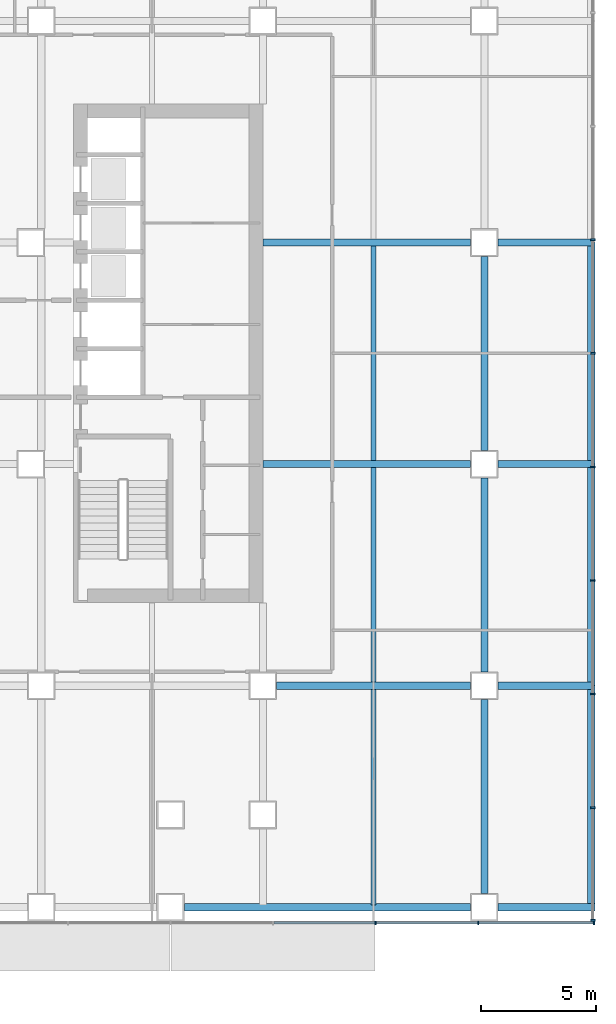
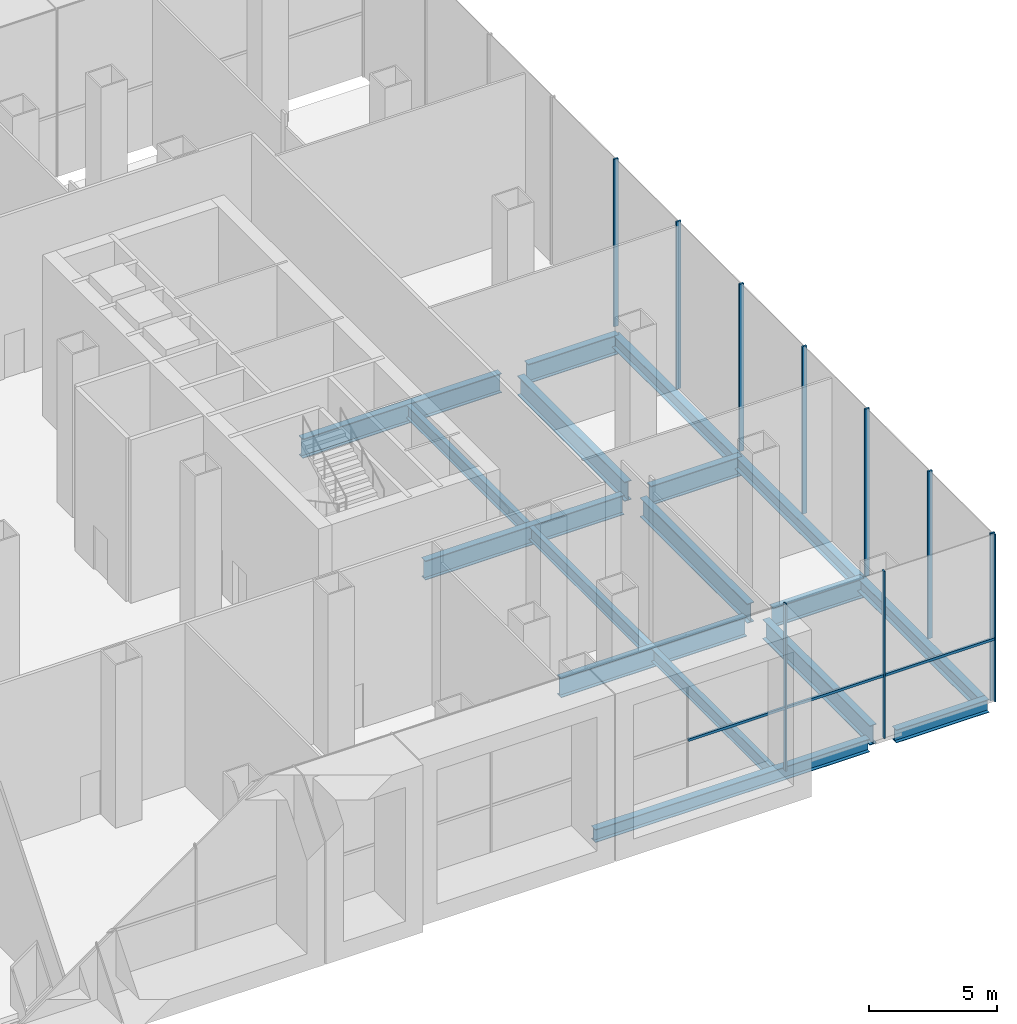
# One storey, part 11 of 24: 17 beams, 13 members, 2 elements without a shape of their own.
"""IFC4 building model written with IfcOpenShell, lengths in metres."""

from ifc_helpers import new_model, si_unit, direction, frame, origin, origin_2d, place, context, subcontext, project, spatial, rectangle, i_section, extrude, material, material_profile, profile_set, type_object, element, aggregate, save


model = new_model("IFC4")

# Units and contexts
model_context = context("Model", 3, precision=1e-05, world=origin(), true_north=direction((0.0, 1.0)))
body_context = subcontext(model_context, "Body", "Model", "MODEL_VIEW")
ifc_project = project(units=[si_unit("LENGTHUNIT", "METRE"), si_unit("AREAUNIT", "SQUARE_METRE"), si_unit("VOLUMEUNIT", "CUBIC_METRE"), si_unit("PLANEANGLEUNIT", "RADIAN"), si_unit("MASSUNIT", "GRAM", prefix="KILO")], contexts=[model_context])

# Site, building, storey
site_placement = place(None, origin())
site = spatial("IfcSite", under=ifc_project, at=site_placement, CompositionType="ELEMENT")
building_placement = place(site_placement, origin())
building = spatial("IfcBuilding", under=site, at=building_placement, Name="Cobrizo Arcos Hotel Tower", CompositionType="ELEMENT")
storey_placement = place(building_placement, frame((0.0, 0.0, 7.5)))
storey = spatial("IfcBuildingStorey", under=building, at=storey_placement, Name="L01", CompositionType="ELEMENT", Elevation=7.5)

# Curtain wall, members
ifc_material_1 = material(Name="Aluminium 6063-T6 anodised bronze", Category="aluminium")
curtain_wall_type_1 = type_object("IfcCurtainWallType", Name="CW-A guest facade", PredefinedType="NOTDEFINED", material=ifc_material_1)
curtain_wall_1_placement = place(storey_placement, origin())
curtain_wall_1 = element("IfcCurtainWall", 1, at=curtain_wall_1_placement, inside=storey, type_object=curtain_wall_type_1, Name="CW-A L01 S face", PredefinedType="NOTDEFINED")
ifc_material_profile_1 = material_profile(ifc_material_1, rectangle(XDim=0.14990234375, YDim=0.06005859375, at=origin_2d()), Name="CW-A mullion 150x60")
ifc_profile_set_1 = profile_set([ifc_material_profile_1], Name="Aluminium 6063-T6 anodised bronze")
member_type_1 = type_object("IfcMemberType", Name="CW-A mullion 150x60", PredefinedType="MULLION", material=ifc_profile_set_1)
member_1_placement = place(storey_placement, frame((28.888916015625, -24.675048828125, 0.0), z_axis=(0.0, 0.0, 1.0), x_axis=(0.0, -1.0, 0.0)))
member_1 = element("IfcMember", 2, at=member_1_placement, type_object=member_type_1, Name="CW-A mullion 16", PredefinedType="MULLION", context=body_context, shape_type="SweptSolid", body=[
    extrude(rectangle(XDim=0.14990234375, YDim=0.06005859375, at=origin_2d()), origin(), (0.0, 0.0, 1.0), 8.0),
])
member_2_placement = place(storey_placement, frame((33.333251953125, -24.675048828125, 0.0), z_axis=(0.0, 0.0, 1.0), x_axis=(0.0, -1.0, 0.0)))
member_2 = element("IfcMember", 3, at=member_2_placement, type_object=member_type_1, Name="CW-A mullion 17", PredefinedType="MULLION", context=body_context, shape_type="SweptSolid", body=[
    extrude(rectangle(XDim=0.14990234375, YDim=0.06005859375, at=origin_2d()), origin(), (0.0, 0.0, 1.0), 8.0),
])
member_3_placement = place(storey_placement, frame((38.344970703125, -24.675048828125, 0.0), z_axis=(0.0, 0.0, 1.0), x_axis=(0.0, -1.0, 0.0)))
member_3 = element("IfcMember", 4, at=member_3_placement, type_object=member_type_1, Name="CW-A mullion 18", PredefinedType="MULLION", context=body_context, shape_type="SweptSolid", body=[
    extrude(rectangle(XDim=0.14990234375, YDim=0.06005859375, at=origin_2d()), origin(), (0.0, 0.0, 1.0), 8.0),
])
ifc_material_profile_2 = material_profile(ifc_material_1, rectangle(XDim=0.10009765625, YDim=0.1201171875, at=origin_2d()), Name="CW-A transom 120x100")
ifc_profile_set_2 = profile_set([ifc_material_profile_2], Name="Aluminium 6063-T6 anodised bronze")
member_type_2 = type_object("IfcMemberType", Name="CW-A transom 120x100", PredefinedType="USERDEFINED", material=ifc_profile_set_2)
member_4_placement = place(storey_placement, frame((24.474365234375, -24.675048828125, 3.0), z_axis=(1.0, 0.0, 0.0), x_axis=(0.0, 1.0, 0.0)))
member_4 = element("IfcMember", 5, at=member_4_placement, type_object=member_type_2, Name="CW-A transom 104", ObjectType="TRANSOM", PredefinedType="USERDEFINED", context=body_context, shape_type="SweptSolid", body=[
    extrude(rectangle(XDim=0.10009765625, YDim=0.1201171875, at=origin_2d()), origin(), (0.0, 0.0, 1.0), 4.384521484375),
])
member_5_placement = place(storey_placement, frame((28.9189453125, -24.675048828125, 3.0), z_axis=(1.0, 0.0, 0.0), x_axis=(0.0, 1.0, 0.0)))
member_5 = element("IfcMember", 6, at=member_5_placement, type_object=member_type_2, Name="CW-A transom 105", ObjectType="TRANSOM", PredefinedType="USERDEFINED", context=body_context, shape_type="SweptSolid", body=[
    extrude(rectangle(XDim=0.10009765625, YDim=0.1201171875, at=origin_2d()), origin(), (0.0, 0.0, 1.0), 4.38427734375),
])
member_6_placement = place(storey_placement, frame((33.36328125, -24.675048828125, 3.0), z_axis=(1.0, 0.0, 0.0), x_axis=(0.0, 1.0, 0.0)))
member_6 = element("IfcMember", 7, at=member_6_placement, type_object=member_type_2, Name="CW-A transom 106", ObjectType="TRANSOM", PredefinedType="USERDEFINED", context=body_context, shape_type="SweptSolid", body=[
    extrude(rectangle(XDim=0.10009765625, YDim=0.1201171875, at=origin_2d()), origin(), (0.0, 0.0, 1.0), 4.95166015625),
])
aggregate(curtain_wall_1, [member_1, member_2, member_3, member_4, member_5, member_6])

curtain_wall_type_2 = type_object("IfcCurtainWallType", Name="CW-B podium glazing", PredefinedType="NOTDEFINED", material=ifc_material_1)
curtain_wall_2_placement = place(storey_placement, origin())
curtain_wall_2 = element("IfcCurtainWall", 8, at=curtain_wall_2_placement, inside=storey, type_object=curtain_wall_type_2, Name="CW-B L01 E face", PredefinedType="NOTDEFINED")
ifc_material_profile_3 = material_profile(ifc_material_1, rectangle(XDim=0.199951171875, YDim=0.080078125, at=origin_2d()), Name="CW-B mullion 200x80")
ifc_profile_set_3 = profile_set([ifc_material_profile_3], Name="Aluminium 6063-T6 anodised bronze")
member_type_3 = type_object("IfcMemberType", Name="CW-B mullion 200x80", PredefinedType="MULLION", material=ifc_profile_set_3)
member_7_placement = place(storey_placement, frame((38.300048828125, -24.56005859375, 0.0), z_axis=(0.0, 0.0, 1.0), x_axis=(1.0, 0.0, 0.0)))
member_7 = element("IfcMember", 9, at=member_7_placement, type_object=member_type_3, Name="CW-B mullion 1", PredefinedType="MULLION", context=body_context, shape_type="SweptSolid", body=[
    extrude(rectangle(XDim=0.199951171875, YDim=0.080078125, at=origin_2d()), origin(), (0.0, 0.0, 1.0), 8.0),
])
member_8_placement = place(storey_placement, frame((38.300048828125, -19.679931640625, 0.0), z_axis=(0.0, 0.0, 1.0), x_axis=(1.0, 0.0, 0.0)))
member_8 = element("IfcMember", 10, at=member_8_placement, type_object=member_type_3, Name="CW-B mullion 2", PredefinedType="MULLION", context=body_context, shape_type="SweptSolid", body=[
    extrude(rectangle(XDim=0.199951171875, YDim=0.080078125, at=origin_2d()), origin(), (0.0, 0.0, 1.0), 8.0),
])
member_9_placement = place(storey_placement, frame((38.300048828125, -14.760009765625, 0.0), z_axis=(0.0, 0.0, 1.0), x_axis=(1.0, 0.0, 0.0)))
member_9 = element("IfcMember", 11, at=member_9_placement, type_object=member_type_3, Name="CW-B mullion 3", PredefinedType="MULLION", context=body_context, shape_type="SweptSolid", body=[
    extrude(rectangle(XDim=0.199951171875, YDim=0.080078125, at=origin_2d()), origin(), (0.0, 0.0, 1.0), 8.0),
])
member_10_placement = place(storey_placement, frame((38.300048828125, -9.840087890625, 0.0), z_axis=(0.0, 0.0, 1.0), x_axis=(1.0, 0.0, 0.0)))
member_10 = element("IfcMember", 12, at=member_10_placement, type_object=member_type_3, Name="CW-B mullion 4", PredefinedType="MULLION", context=body_context, shape_type="SweptSolid", body=[
    extrude(rectangle(XDim=0.199951171875, YDim=0.080078125, at=origin_2d()), origin(), (0.0, 0.0, 1.0), 8.0),
])
member_11_placement = place(storey_placement, frame((38.300048828125, -4.919921875, 0.0), z_axis=(0.0, 0.0, 1.0), x_axis=(1.0, 0.0, 0.0)))
member_11 = element("IfcMember", 13, at=member_11_placement, type_object=member_type_3, Name="CW-B mullion 5", PredefinedType="MULLION", context=body_context, shape_type="SweptSolid", body=[
    extrude(rectangle(XDim=0.199951171875, YDim=0.080078125, at=origin_2d()), origin(), (0.0, 0.0, 1.0), 8.0),
])
member_12_placement = place(storey_placement, frame((38.300048828125, 0.0, 0.0), z_axis=(0.0, 0.0, 1.0), x_axis=(1.0, 0.0, 0.0)))
member_12 = element("IfcMember", 14, at=member_12_placement, type_object=member_type_3, Name="CW-B mullion 6", PredefinedType="MULLION", context=body_context, shape_type="SweptSolid", body=[
    extrude(rectangle(XDim=0.199951171875, YDim=0.080078125, at=origin_2d()), origin(), (0.0, 0.0, 1.0), 8.0),
])
member_13_placement = place(storey_placement, frame((38.300048828125, 4.919921875, 0.0), z_axis=(0.0, 0.0, 1.0), x_axis=(1.0, 0.0, 0.0)))
member_13 = element("IfcMember", 15, at=member_13_placement, type_object=member_type_3, Name="CW-B mullion 7", PredefinedType="MULLION", context=body_context, shape_type="SweptSolid", body=[
    extrude(rectangle(XDim=0.199951171875, YDim=0.080078125, at=origin_2d()), origin(), (0.0, 0.0, 1.0), 8.0),
])
aggregate(curtain_wall_2, [member_7, member_8, member_9, member_10, member_11, member_12, member_13])

# Beams
ifc_material_2 = material(Name="Steel ASTM A992 Grade 50", Category="steel")
ifc_material_profile_4 = material_profile(ifc_material_2, i_section(OverallWidth=0.32763671875, OverallDepth=0.622314453125, WebThickness=0.015380859375, FlangeThickness=0.0244140625, at=origin_2d()), Name="W24X131")
ifc_profile_set_4 = profile_set([ifc_material_profile_4], Name="Steel ASTM A992 Grade 50")
beam_type_1 = type_object("IfcBeamType", Name="W24X131 edge beam", PredefinedType="BEAM", material=ifc_profile_set_4)
beam_1_placement = place(storey_placement, frame((38.236083984375, -24.0, -0.56103515625), z_axis=(0.0, 1.0, 0.0), x_axis=(-1.0, 0.0, 0.0)))
element("IfcBeam", 16, at=beam_1_placement, inside=storey, type_object=beam_type_1, Name="Edge beam EB1, L01, no. 001", PredefinedType="BEAM", context=body_context, shape_type="SweptSolid", body=[
    extrude(i_section(OverallWidth=0.32763671875, OverallDepth=0.622314453125, WebThickness=0.015380859375, FlangeThickness=0.0244140625, at=origin_2d()), origin(), (0.0, 0.0, 1.0), 9.60009765625),
])
beam_2_placement = place(storey_placement, frame((38.236083984375, -14.39990234375, -0.56103515625), z_axis=(0.0, 1.0, 0.0), x_axis=(-1.0, 0.0, 0.0)))
element("IfcBeam", 17, at=beam_2_placement, inside=storey, type_object=beam_type_1, Name="Edge beam EB1, L01, no. 002", PredefinedType="BEAM", context=body_context, shape_type="SweptSolid", body=[
    extrude(i_section(OverallWidth=0.32763671875, OverallDepth=0.622314453125, WebThickness=0.015380859375, FlangeThickness=0.0244140625, at=origin_2d()), origin(), (0.0, 0.0, 1.0), 9.599853515625),
])
beam_3_placement = place(storey_placement, frame((38.236083984375, -4.800048828125, -0.56103515625), z_axis=(0.0, 1.0, 0.0), x_axis=(-1.0, 0.0, 0.0)))
element("IfcBeam", 18, at=beam_3_placement, inside=storey, type_object=beam_type_1, Name="Edge beam EB1, L01, no. 003", PredefinedType="BEAM", context=body_context, shape_type="SweptSolid", body=[
    extrude(i_section(OverallWidth=0.32763671875, OverallDepth=0.622314453125, WebThickness=0.015380859375, FlangeThickness=0.0244140625, at=origin_2d()), origin(), (0.0, 0.0, 1.0), 9.60009765625),
])
beam_4_placement = place(storey_placement, frame((34.199951171875, -24.0, -0.56103515625), z_axis=(1.0, 0.0, 0.0), x_axis=(0.0, 1.0, 0.0)))
element("IfcBeam", 19, at=beam_4_placement, inside=storey, type_object=beam_type_1, Name="Edge beam EB1, L01, no. 014", PredefinedType="BEAM", context=body_context, shape_type="SweptSolid", body=[
    extrude(i_section(OverallWidth=0.32763671875, OverallDepth=0.622314453125, WebThickness=0.015380859375, FlangeThickness=0.0244140625, at=origin_2d()), origin(), (0.0, 0.0, 1.0), 4.199951171875),
])
ifc_material_profile_5 = material_profile(ifc_material_2, i_section(OverallWidth=0.32763671875, OverallDepth=0.622314453125, WebThickness=0.015380859375, FlangeThickness=0.0244140625, at=origin_2d()), Name="W24X131")
ifc_profile_set_5 = profile_set([ifc_material_profile_5], Name="Steel ASTM A992 Grade 50")
beam_type_2 = type_object("IfcBeamType", Name="W24X131 spandrel", PredefinedType="SPANDREL", material=ifc_profile_set_5)
beam_5_placement = place(storey_placement, frame((20.60009765625, -24.0, -0.56103515625), z_axis=(1.0, 0.0, 0.0), x_axis=(0.0, 1.0, 0.0)))
element("IfcBeam", 20, at=beam_5_placement, inside=storey, type_object=beam_type_2, Name="Spandrel beam W24X131, L01, no. 014", PredefinedType="SPANDREL", context=body_context, shape_type="SweptSolid", body=[
    extrude(i_section(OverallWidth=0.32763671875, OverallDepth=0.622314453125, WebThickness=0.015380859375, FlangeThickness=0.0244140625, at=origin_2d()), origin(), (0.0, 0.0, 1.0), 12.39990234375),
])
ifc_material_profile_6 = material_profile(ifc_material_2, i_section(OverallWidth=0.23046875, OverallDepth=0.6171875, WebThickness=0.01318359375, FlangeThickness=0.022216796875, at=origin_2d()), Name="W24X94")
ifc_profile_set_6 = profile_set([ifc_material_profile_6], Name="Steel ASTM A992 Grade 50")
beam_type_3 = type_object("IfcBeamType", Name="W24X94 podium joist", PredefinedType="JOIST", material=ifc_profile_set_6)
beam_6_placement = place(storey_placement, frame((28.800048828125, -23.909912109375, -0.55859375), z_axis=(0.0, 1.0, 0.0), x_axis=(-1.0, 0.0, 0.0)))
element("IfcBeam", 21, at=beam_6_placement, inside=storey, type_object=beam_type_3, Name="Podium joist PJ1, L01, no. 029", PredefinedType="JOIST", context=body_context, shape_type="SweptSolid", body=[
    extrude(i_section(OverallWidth=0.23046875, OverallDepth=0.6171875, WebThickness=0.01318359375, FlangeThickness=0.022216796875, at=origin_2d()), origin(), (0.0, 0.0, 1.0), 9.356201171875),
])
beam_7_placement = place(storey_placement, frame((28.800048828125, -14.246337890625, -0.55859375), z_axis=(0.0, 1.0, 0.0), x_axis=(-1.0, 0.0, 0.0)))
element("IfcBeam", 22, at=beam_7_placement, inside=storey, type_object=beam_type_3, Name="Podium joist PJ1, L01, no. 030", PredefinedType="JOIST", context=body_context, shape_type="SweptSolid", body=[
    extrude(i_section(OverallWidth=0.23046875, OverallDepth=0.6171875, WebThickness=0.01318359375, FlangeThickness=0.022216796875, at=origin_2d()), origin(), (0.0, 0.0, 1.0), 9.292724609375),
])
beam_8_placement = place(storey_placement, frame((28.800048828125, -4.646240234375, -0.55859375), z_axis=(0.0, 1.0, 0.0), x_axis=(-1.0, 0.0, 0.0)))
element("IfcBeam", 23, at=beam_8_placement, inside=storey, type_object=beam_type_3, Name="Podium joist PJ1, L01, no. 031", PredefinedType="JOIST", context=body_context, shape_type="SweptSolid", body=[
    extrude(i_section(OverallWidth=0.23046875, OverallDepth=0.6171875, WebThickness=0.01318359375, FlangeThickness=0.022216796875, at=origin_2d()), origin(), (0.0, 0.0, 1.0), 9.29248046875),
])
ifc_material_profile_7 = material_profile(ifc_material_2, i_section(OverallWidth=0.307373046875, OverallDepth=0.927001953125, WebThickness=0.01953125, FlangeThickness=0.031982421875, at=origin_2d()), Name="W36X194")
ifc_profile_set_7 = profile_set([ifc_material_profile_7], Name="Steel ASTM A992 Grade 50")
beam_type_4 = type_object("IfcBeamType", Name="W36X194 podium girder", PredefinedType="BEAM", material=ifc_profile_set_7)
beam_9_placement = place(storey_placement, frame((24.60009765625, -14.39990234375, -0.71337890625), z_axis=(1.0, 0.0, 0.0), x_axis=(0.0, 1.0, 0.0)))
element("IfcBeam", 24, at=beam_9_placement, inside=storey, type_object=beam_type_4, Name="Podium girder PG1, L01, no. 008", PredefinedType="BEAM", context=body_context, shape_type="SweptSolid", body=[
    extrude(i_section(OverallWidth=0.307373046875, OverallDepth=0.927001953125, WebThickness=0.01953125, FlangeThickness=0.031982421875, at=origin_2d()), origin(), (0.0, 0.0, 1.0), 8.39990234375),
])
beam_10_placement = place(storey_placement, frame((34.199951171875, -14.39990234375, -0.71337890625), z_axis=(1.0, 0.0, 0.0), x_axis=(0.0, 1.0, 0.0)))
element("IfcBeam", 25, at=beam_10_placement, inside=storey, type_object=beam_type_4, Name="Podium girder PG1, L01, no. 009", PredefinedType="BEAM", context=body_context, shape_type="SweptSolid", body=[
    extrude(i_section(OverallWidth=0.307373046875, OverallDepth=0.927001953125, WebThickness=0.01953125, FlangeThickness=0.031982421875, at=origin_2d()), origin(), (0.0, 0.0, 1.0), 4.110107421875),
])
beam_11_placement = place(storey_placement, frame((24.010009765625, -4.800048828125, -0.71337890625), z_axis=(1.0, 0.0, 0.0), x_axis=(0.0, 1.0, 0.0)))
element("IfcBeam", 26, at=beam_11_placement, inside=storey, type_object=beam_type_4, Name="Podium girder PG1, L01, no. 016", PredefinedType="BEAM", context=body_context, shape_type="SweptSolid", body=[
    extrude(i_section(OverallWidth=0.307373046875, OverallDepth=0.927001953125, WebThickness=0.01953125, FlangeThickness=0.031982421875, at=origin_2d()), origin(), (0.0, 0.0, 1.0), 8.989990234375),
])
beam_12_placement = place(storey_placement, frame((34.199951171875, -4.800048828125, -0.71337890625), z_axis=(1.0, 0.0, 0.0), x_axis=(0.0, 1.0, 0.0)))
element("IfcBeam", 27, at=beam_12_placement, inside=storey, type_object=beam_type_4, Name="Podium girder PG1, L01, no. 017", PredefinedType="BEAM", context=body_context, shape_type="SweptSolid", body=[
    extrude(i_section(OverallWidth=0.307373046875, OverallDepth=0.927001953125, WebThickness=0.01953125, FlangeThickness=0.031982421875, at=origin_2d()), origin(), (0.0, 0.0, 1.0), 4.110107421875),
])
beam_13_placement = place(storey_placement, frame((24.010009765625, 4.800048828125, -0.71337890625), z_axis=(1.0, 0.0, 0.0), x_axis=(0.0, 1.0, 0.0)))
element("IfcBeam", 28, at=beam_13_placement, inside=storey, type_object=beam_type_4, Name="Podium girder PG1, L01, no. 024", PredefinedType="BEAM", context=body_context, shape_type="SweptSolid", body=[
    extrude(i_section(OverallWidth=0.307373046875, OverallDepth=0.927001953125, WebThickness=0.01953125, FlangeThickness=0.031982421875, at=origin_2d()), origin(), (0.0, 0.0, 1.0), 8.989990234375),
])
beam_14_placement = place(storey_placement, frame((34.199951171875, 4.800048828125, -0.71337890625), z_axis=(1.0, 0.0, 0.0), x_axis=(0.0, 1.0, 0.0)))
element("IfcBeam", 29, at=beam_14_placement, inside=storey, type_object=beam_type_4, Name="Podium girder PG1, L01, no. 025", PredefinedType="BEAM", context=body_context, shape_type="SweptSolid", body=[
    extrude(i_section(OverallWidth=0.307373046875, OverallDepth=0.927001953125, WebThickness=0.01953125, FlangeThickness=0.031982421875, at=origin_2d()), origin(), (0.0, 0.0, 1.0), 4.110107421875),
])
beam_15_placement = place(storey_placement, frame((33.60009765625, -23.39990234375, -0.71337890625), z_axis=(0.0, 1.0, 0.0), x_axis=(-1.0, 0.0, 0.0)))
element("IfcBeam", 30, at=beam_15_placement, inside=storey, type_object=beam_type_4, Name="Podium girder PG1, L01, no. 072", PredefinedType="BEAM", context=body_context, shape_type="SweptSolid", body=[
    extrude(i_section(OverallWidth=0.307373046875, OverallDepth=0.927001953125, WebThickness=0.01953125, FlangeThickness=0.031982421875, at=origin_2d()), origin(), (0.0, 0.0, 1.0), 8.39990234375),
])
beam_16_placement = place(storey_placement, frame((33.60009765625, -13.800048828125, -0.71337890625), z_axis=(0.0, 1.0, 0.0), x_axis=(-1.0, 0.0, 0.0)))
element("IfcBeam", 31, at=beam_16_placement, inside=storey, type_object=beam_type_4, Name="Podium girder PG1, L01, no. 073", PredefinedType="BEAM", context=body_context, shape_type="SweptSolid", body=[
    extrude(i_section(OverallWidth=0.307373046875, OverallDepth=0.927001953125, WebThickness=0.01953125, FlangeThickness=0.031982421875, at=origin_2d()), origin(), (0.0, 0.0, 1.0), 8.400146484375),
])
beam_17_placement = place(storey_placement, frame((33.60009765625, -4.199951171875, -0.71337890625), z_axis=(0.0, 1.0, 0.0), x_axis=(-1.0, 0.0, 0.0)))
element("IfcBeam", 32, at=beam_17_placement, inside=storey, type_object=beam_type_4, Name="Podium girder PG1, L01, no. 074", PredefinedType="BEAM", context=body_context, shape_type="SweptSolid", body=[
    extrude(i_section(OverallWidth=0.307373046875, OverallDepth=0.927001953125, WebThickness=0.01953125, FlangeThickness=0.031982421875, at=origin_2d()), origin(), (0.0, 0.0, 1.0), 8.39990234375),
])

save(model, "model.ifc")
